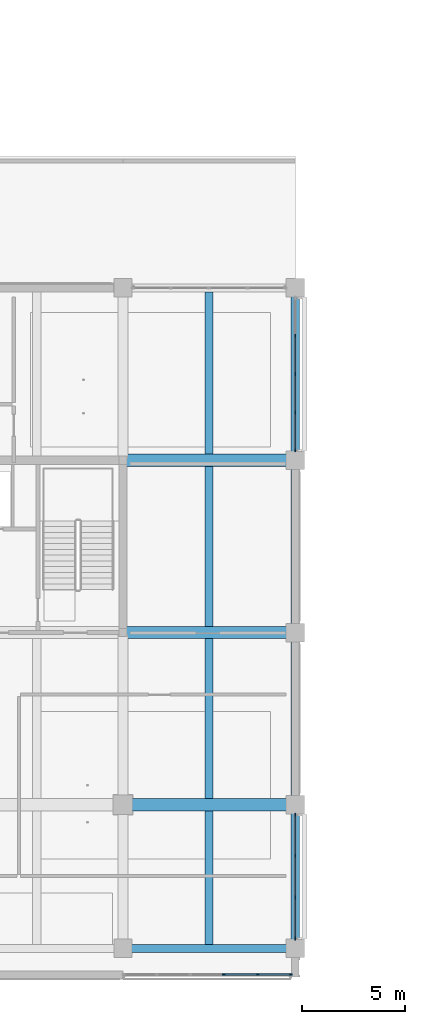
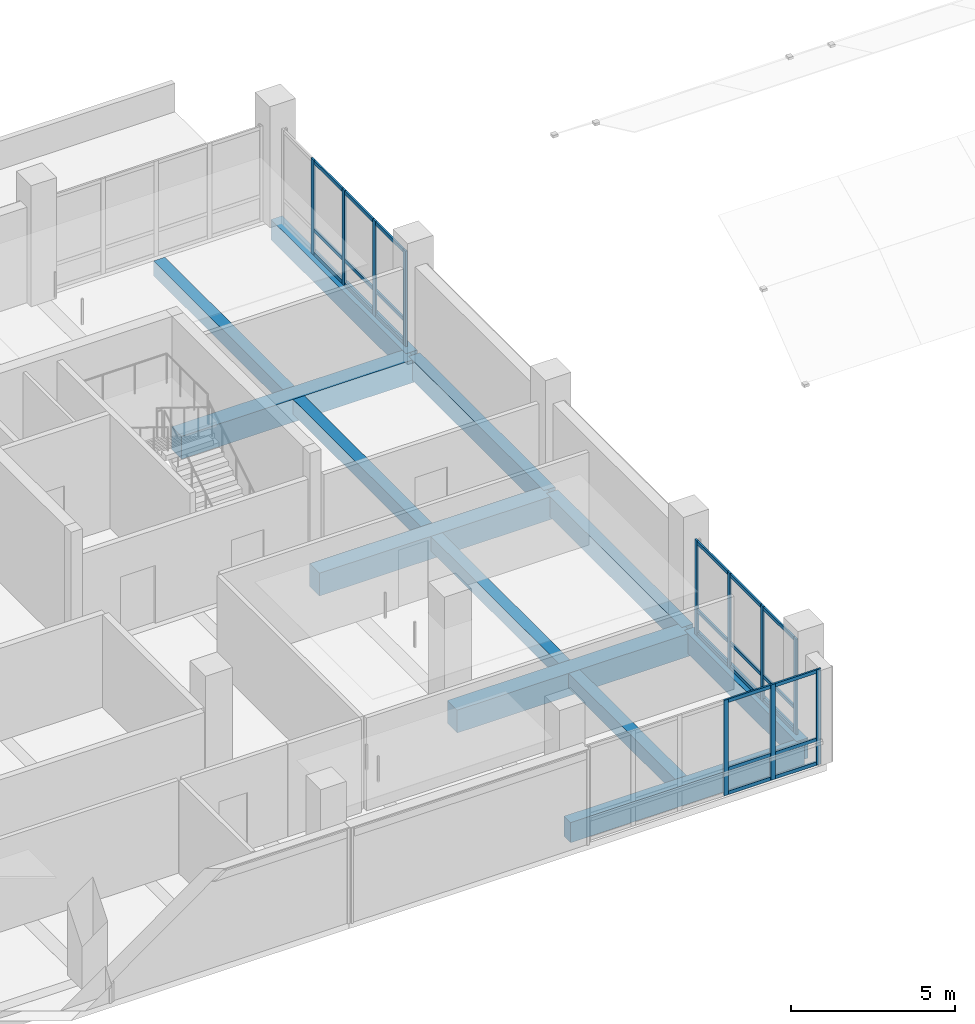
# One storey, part 15 of 59: 35 members, 12 beams, 3 elements without a shape of their own.
"""IFC4 building model written with IfcOpenShell, lengths in metres."""

from ifc_helpers import new_model, si_unit, direction, frame, origin, origin_2d, place, context, subcontext, project, spatial, rectangle, extrude, material, layer, layer_set, material_profile, profile_set, type_object, element, aggregate, save


model = new_model("IFC4")

# Units and contexts
model_context = context("Model", 3, precision=1e-05, world=origin(), true_north=direction((0.0, 1.0)))
body_context = subcontext(model_context, "Body", "Model", "MODEL_VIEW")
ifc_project = project(units=[si_unit("LENGTHUNIT", "METRE"), si_unit("AREAUNIT", "SQUARE_METRE"), si_unit("VOLUMEUNIT", "CUBIC_METRE"), si_unit("PLANEANGLEUNIT", "RADIAN"), si_unit("MASSUNIT", "GRAM", prefix="KILO")], contexts=[model_context])

# Site, building, storey
site_placement = place(None, origin())
site = spatial("IfcSite", under=ifc_project, at=site_placement, CompositionType="ELEMENT")
building_placement = place(site_placement, origin())
building = spatial("IfcBuilding", under=site, at=building_placement, Name="Telukmera Botanical Conservatory", CompositionType="ELEMENT")
storey_placement = place(building_placement, frame((0.0, 0.0, 15.0)))
storey = spatial("IfcBuildingStorey", under=building, at=storey_placement, Name="L03", CompositionType="ELEMENT", Elevation=15.0)

# Beams
ifc_material_1 = material(Name="Concrete C40/50", Category="concrete")
ifc_material_profile_1 = material_profile(ifc_material_1, rectangle(XDim=0.60009765625, YDim=0.85009765625, at=origin_2d()), Name="RC 600x850")
ifc_profile_set_1 = profile_set([ifc_material_profile_1], Name="Concrete C40/50")
beam_type_1 = type_object("IfcBeamType", Name="Beam_B11", PredefinedType="BEAM", material=ifc_profile_set_1)
for number, where, z_axis, x_axis, name in (
    (1, (100.8798828125, 17.60009765625, -0.425048828125), (1.0, 0.0, 0.0), (0.0, 1.0, 0.0), "Tower Grid Beam L03"),
    (2, (100.8798828125, 26.0, -0.425048828125), (1.0, 0.0, 0.0), (0.0, 1.0, 0.0), "Tower Grid Beam L03"),
    (3, (100.8798828125, 34.39990234375, -0.425048828125), (1.0, 0.0, 0.0), (0.0, 1.0, 0.0), "Tower Grid Beam L03"),
):
    element("IfcBeam", number, at=place(storey_placement, frame(where, z_axis=z_axis, x_axis=x_axis)), inside=storey, type_object=beam_type_1, Name=name, PredefinedType="BEAM", context=body_context, shape_type="SweptSolid", body=[
        extrude(rectangle(XDim=0.60009765625, YDim=0.85009765625, at=origin_2d()), origin(), (0.0, 0.0, 1.0), 8.240234375),
    ])
ifc_material_profile_2 = material_profile(ifc_material_1, rectangle(XDim=0.39990234375, YDim=0.550048828125, at=origin_2d()), Name="RC 400x550")
ifc_profile_set_2 = profile_set([ifc_material_profile_2], Name="Concrete C40/50")
beam_type_2 = type_object("IfcBeamType", Name="Beam_B19", PredefinedType="JOIST", material=ifc_profile_set_2)
beam_1_placement = place(storey_placement, frame((105.0, 10.800048828125, -0.27490234375), z_axis=(0.0, 1.0, 0.0), x_axis=(-1.0, 0.0, 0.0)))
element("IfcBeam", 4, at=beam_1_placement, inside=storey, type_object=beam_type_2, Name="Tower Secondary Floor Joist L03", PredefinedType="JOIST", context=body_context, shape_type="SweptSolid", body=[
    extrude(rectangle(XDim=0.39990234375, YDim=0.550048828125, at=origin_2d()), origin(), (0.0, 0.0, 1.0), 6.5),
])
for number, where, z_axis, x_axis, name in (
    (5, (105.0, 17.89990234375, -0.27490234375), (0.0, 1.0, 0.0), (-1.0, 0.0, 0.0), "Tower Secondary Floor Joist L03"),
    (6, (105.0, 26.300048828125, -0.27490234375), (0.0, 1.0, 0.0), (-1.0, 0.0, 0.0), "Tower Secondary Floor Joist L03"),
):
    element("IfcBeam", number, at=place(storey_placement, frame(where, z_axis=z_axis, x_axis=x_axis)), inside=storey, type_object=beam_type_2, Name=name, PredefinedType="JOIST", context=body_context, shape_type="SweptSolid", body=[
        extrude(rectangle(XDim=0.39990234375, YDim=0.550048828125, at=origin_2d()), origin(), (0.0, 0.0, 1.0), 7.800048828125),
    ])
beam_2_placement = place(storey_placement, frame((105.0, 34.699951171875, -0.27490234375), z_axis=(0.0, 1.0, 0.0), x_axis=(-1.0, 0.0, 0.0)))
element("IfcBeam", 7, at=beam_2_placement, inside=storey, type_object=beam_type_2, Name="Tower Secondary Floor Joist L03", PredefinedType="JOIST", context=body_context, shape_type="SweptSolid", body=[
    extrude(rectangle(XDim=0.39990234375, YDim=0.550048828125, at=origin_2d()), origin(), (0.0, 0.0, 1.0), 7.900146484375),
])
ifc_material_2 = material(Name="Precast concrete C40/50", Category="concrete")
ifc_material_profile_3 = material_profile(ifc_material_2, rectangle(XDim=0.39990234375, YDim=0.75, at=origin_2d()), Name="PC 400x750")
ifc_profile_set_3 = profile_set([ifc_material_profile_3], Name="Precast concrete C40/50")
beam_type_3 = type_object("IfcBeamType", Name="Beam_SP1", PredefinedType="SPANDREL", material=ifc_profile_set_3)
beam_3_placement = place(storey_placement, frame((100.8798828125, 10.60009765625, -0.375), z_axis=(1.0, 0.0, 0.0), x_axis=(0.0, 1.0, 0.0)))
element("IfcBeam", 8, at=beam_3_placement, inside=storey, type_object=beam_type_3, Name="Tower Grid Beam L03", PredefinedType="SPANDREL", context=body_context, shape_type="SweptSolid", body=[
    extrude(rectangle(XDim=0.39990234375, YDim=0.75, at=origin_2d()), origin(), (0.0, 0.0, 1.0), 8.240234375),
])
beam_4_placement = place(storey_placement, frame((109.199951171875, 10.679931640625, -0.375), z_axis=(0.0, 1.0, 0.0), x_axis=(-1.0, 0.0, 0.0)))
element("IfcBeam", 9, at=beam_4_placement, inside=storey, type_object=beam_type_3, Name="Tower Transverse Beam L03", PredefinedType="SPANDREL", context=body_context, shape_type="SweptSolid", body=[
    extrude(rectangle(XDim=0.39990234375, YDim=0.75, at=origin_2d()), origin(), (0.0, 0.0, 1.0), 6.840087890625),
])
for number, where, z_axis, x_axis, name in (
    (10, (109.199951171875, 17.679931640625, -0.375), (0.0, 1.0, 0.0), (-1.0, 0.0, 0.0), "Tower Transverse Beam L03"),
    (11, (109.199951171875, 26.080078125, -0.375), (0.0, 1.0, 0.0), (-1.0, 0.0, 0.0), "Tower Transverse Beam L03"),
    (12, (109.199951171875, 34.47998046875, -0.375), (0.0, 1.0, 0.0), (-1.0, 0.0, 0.0), "Tower Transverse Beam L03"),
):
    element("IfcBeam", number, at=place(storey_placement, frame(where, z_axis=z_axis, x_axis=x_axis)), inside=storey, type_object=beam_type_3, Name=name, PredefinedType="SPANDREL", context=body_context, shape_type="SweptSolid", body=[
        extrude(rectangle(XDim=0.39990234375, YDim=0.75, at=origin_2d()), origin(), (0.0, 0.0, 1.0), 8.239990234375),
    ])

# Curtain wall, members
ifc_material_3 = material(Name="Anodised aluminium 6063-T6", Category="aluminium")
ifc_layer = layer(ifc_material_3, 0.179931640625)
ifc_layer_set = layer_set([ifc_layer], Name="Anodised aluminium 6063-T6")
curtain_wall_type = type_object("IfcCurtainWallType", Name="Tower Herbarium Curation Corner Curtain Wall", PredefinedType="USERDEFINED", material=ifc_layer_set)
curtain_wall_1_placement = place(storey_placement, origin())
curtain_wall_1 = element("IfcCurtainWall", 13, at=curtain_wall_1_placement, inside=storey, type_object=curtain_wall_type, Name="Unitised Curtain Wall CW14 V4:L03:S7", ObjectType="UNITISED CURTAIN WALL", PredefinedType="USERDEFINED")
ifc_material_profile_4 = material_profile(ifc_material_3, rectangle(XDim=0.06494140625, YDim=0.159912109375, at=origin_2d()), Name="ALU MULL 65x160")
ifc_profile_set_4 = profile_set([ifc_material_profile_4], Name="Anodised aluminium 6063-T6")
member_type_1 = type_object("IfcMemberType", Name="Curtain Wall Extruded Mullion 65x160", PredefinedType="MULLION", material=ifc_profile_set_4)
member_1_placement = place(storey_placement, frame((105.7255859375, 9.320068359375, 0.0), z_axis=(0.0, 0.0, 1.0), x_axis=(0.0, 1.0, 0.0)))
member_1 = element("IfcMember", 14, at=member_1_placement, type_object=member_type_1, Name="CW14 mullion 4", PredefinedType="MULLION", context=body_context, shape_type="SweptSolid", body=[
    extrude(rectangle(XDim=0.06494140625, YDim=0.159912109375, at=origin_2d()), origin(), (0.0, 0.0, 1.0), 3.550048828125),
])
member_2_placement = place(storey_placement, frame((107.36669921875, 9.320068359375, 0.0), z_axis=(0.0, 0.0, 1.0), x_axis=(0.0, 1.0, 0.0)))
member_2 = element("IfcMember", 15, at=member_2_placement, type_object=member_type_1, Name="CW14 mullion 5", PredefinedType="MULLION", context=body_context, shape_type="SweptSolid", body=[
    extrude(rectangle(XDim=0.06494140625, YDim=0.159912109375, at=origin_2d()), origin(), (0.0, 0.0, 1.0), 3.550048828125),
])
member_3_placement = place(storey_placement, frame((108.9755859375, 9.320068359375, 0.0), z_axis=(0.0, 0.0, 1.0), x_axis=(0.0, 1.0, 0.0)))
member_3 = element("IfcMember", 16, at=member_3_placement, type_object=member_type_1, Name="CW14 mullion 6", PredefinedType="MULLION", context=body_context, shape_type="SweptSolid", body=[
    extrude(rectangle(XDim=0.06494140625, YDim=0.159912109375, at=origin_2d()), origin(), (0.0, 0.0, 1.0), 3.550048828125),
])

curtain_wall_2_placement = place(storey_placement, origin())
curtain_wall_2 = element("IfcCurtainWall", 17, at=curtain_wall_2_placement, inside=storey, type_object=curtain_wall_type, Name="Unitised Curtain Wall CW14 V4:L03:E1", ObjectType="UNITISED CURTAIN WALL", PredefinedType="USERDEFINED")
member_4_placement = place(storey_placement, frame((109.199951171875, 11.08447265625, 0.0), z_axis=(0.0, 0.0, 1.0), x_axis=(-1.0, 0.0, 0.0)))
member_4 = element("IfcMember", 18, at=member_4_placement, type_object=member_type_1, Name="CW14 mullion 1", PredefinedType="MULLION", context=body_context, shape_type="SweptSolid", body=[
    extrude(rectangle(XDim=0.06494140625, YDim=0.159912109375, at=origin_2d()), origin(), (0.0, 0.0, 1.0), 3.550048828125),
])
member_5_placement = place(storey_placement, frame((109.199951171875, 13.083984375, 0.0), z_axis=(0.0, 0.0, 1.0), x_axis=(-1.0, 0.0, 0.0)))
member_5 = element("IfcMember", 19, at=member_5_placement, type_object=member_type_1, Name="CW14 mullion 2", PredefinedType="MULLION", context=body_context, shape_type="SweptSolid", body=[
    extrude(rectangle(XDim=0.06494140625, YDim=0.159912109375, at=origin_2d()), origin(), (0.0, 0.0, 1.0), 3.550048828125),
])
member_6_placement = place(storey_placement, frame((109.199951171875, 15.115966796875, 0.0), z_axis=(0.0, 0.0, 1.0), x_axis=(-1.0, 0.0, 0.0)))
member_6 = element("IfcMember", 20, at=member_6_placement, type_object=member_type_1, Name="CW14 mullion 3", PredefinedType="MULLION", context=body_context, shape_type="SweptSolid", body=[
    extrude(rectangle(XDim=0.06494140625, YDim=0.159912109375, at=origin_2d()), origin(), (0.0, 0.0, 1.0), 3.550048828125),
])
member_7_placement = place(storey_placement, frame((109.199951171875, 17.115478515625, 0.0), z_axis=(0.0, 0.0, 1.0), x_axis=(-1.0, 0.0, 0.0)))
member_7 = element("IfcMember", 21, at=member_7_placement, type_object=member_type_1, Name="CW14 mullion 4", PredefinedType="MULLION", context=body_context, shape_type="SweptSolid", body=[
    extrude(rectangle(XDim=0.06494140625, YDim=0.159912109375, at=origin_2d()), origin(), (0.0, 0.0, 1.0), 3.550048828125),
])

curtain_wall_3_placement = place(storey_placement, origin())
curtain_wall_3 = element("IfcCurtainWall", 22, at=curtain_wall_3_placement, inside=storey, type_object=curtain_wall_type, Name="Unitised Curtain Wall CW14 V4:L03:E4", ObjectType="UNITISED CURTAIN WALL", PredefinedType="USERDEFINED")
member_8_placement = place(storey_placement, frame((109.199951171875, 34.884521484375, 0.0), z_axis=(0.0, 0.0, 1.0), x_axis=(-1.0, 0.0, 0.0)))
member_8 = element("IfcMember", 23, at=member_8_placement, type_object=member_type_1, Name="CW14 mullion 1", PredefinedType="MULLION", context=body_context, shape_type="SweptSolid", body=[
    extrude(rectangle(XDim=0.06494140625, YDim=0.159912109375, at=origin_2d()), origin(), (0.0, 0.0, 1.0), 3.550048828125),
])
member_9_placement = place(storey_placement, frame((109.199951171875, 36.72607421875, 0.0), z_axis=(0.0, 0.0, 1.0), x_axis=(-1.0, 0.0, 0.0)))
member_9 = element("IfcMember", 24, at=member_9_placement, type_object=member_type_1, Name="CW14 mullion 2", PredefinedType="MULLION", context=body_context, shape_type="SweptSolid", body=[
    extrude(rectangle(XDim=0.06494140625, YDim=0.159912109375, at=origin_2d()), origin(), (0.0, 0.0, 1.0), 3.550048828125),
])
member_10_placement = place(storey_placement, frame((109.199951171875, 38.60009765625, 0.0), z_axis=(0.0, 0.0, 1.0), x_axis=(-1.0, 0.0, 0.0)))
member_10 = element("IfcMember", 25, at=member_10_placement, type_object=member_type_1, Name="CW14 mullion 3", PredefinedType="MULLION", context=body_context, shape_type="SweptSolid", body=[
    extrude(rectangle(XDim=0.06494140625, YDim=0.159912109375, at=origin_2d()), origin(), (0.0, 0.0, 1.0), 3.550048828125),
])
member_11_placement = place(storey_placement, frame((109.199951171875, 40.47412109375, 0.0), z_axis=(0.0, 0.0, 1.0), x_axis=(-1.0, 0.0, 0.0)))
member_11 = element("IfcMember", 26, at=member_11_placement, type_object=member_type_1, Name="CW14 mullion 4", PredefinedType="MULLION", context=body_context, shape_type="SweptSolid", body=[
    extrude(rectangle(XDim=0.06494140625, YDim=0.159912109375, at=origin_2d()), origin(), (0.0, 0.0, 1.0), 3.550048828125),
])

# Member
ifc_material_profile_5 = material_profile(ifc_material_3, rectangle(XDim=0.06494140625, YDim=0.1298828125, at=origin_2d()), Name="ALU TRAN 65x130")
ifc_profile_set_5 = profile_set([ifc_material_profile_5], Name="Anodised aluminium 6063-T6")
member_type_2 = type_object("IfcMemberType", Name="Curtain Wall Extruded Transom 65x130", PredefinedType="USERDEFINED", material=ifc_profile_set_5)
member_12_placement = place(storey_placement, frame((105.758056640625, 9.320068359375, 0.06494140625), z_axis=(1.0, 0.0, 0.0), x_axis=(0.0, 1.0, 0.0)))
member_12 = element("IfcMember", 27, at=member_12_placement, type_object=member_type_2, Name="CW14 transom 4.1", ObjectType="TRANSOM", PredefinedType="USERDEFINED", context=body_context, shape_type="SweptSolid", body=[
    extrude(rectangle(XDim=0.06494140625, YDim=0.1298828125, at=origin_2d()), origin(), (0.0, 0.0, 1.0), 1.576171875),
])

member_13_placement = place(storey_placement, frame((105.758056640625, 9.320068359375, 0.949951171875), z_axis=(1.0, 0.0, 0.0), x_axis=(0.0, 1.0, 0.0)))
member_13 = element("IfcMember", 28, at=member_13_placement, type_object=member_type_2, Name="CW14 transom 4.2", ObjectType="TRANSOM", PredefinedType="USERDEFINED", context=body_context, shape_type="SweptSolid", body=[
    extrude(rectangle(XDim=0.06494140625, YDim=0.1298828125, at=origin_2d()), origin(), (0.0, 0.0, 1.0), 1.576171875),
])

member_14_placement = place(storey_placement, frame((105.758056640625, 9.320068359375, 3.485107421875), z_axis=(1.0, 0.0, 0.0), x_axis=(0.0, 1.0, 0.0)))
member_14 = element("IfcMember", 29, at=member_14_placement, type_object=member_type_2, Name="CW14 transom 4.3", ObjectType="TRANSOM", PredefinedType="USERDEFINED", context=body_context, shape_type="SweptSolid", body=[
    extrude(rectangle(XDim=0.06494140625, YDim=0.1298828125, at=origin_2d()), origin(), (0.0, 0.0, 1.0), 1.576171875),
])

member_15_placement = place(storey_placement, frame((107.3994140625, 9.320068359375, 0.06494140625), z_axis=(1.0, 0.0, 0.0), x_axis=(0.0, 1.0, 0.0)))
member_15 = element("IfcMember", 30, at=member_15_placement, type_object=member_type_2, Name="CW14 transom 5.1", ObjectType="TRANSOM", PredefinedType="USERDEFINED", context=body_context, shape_type="SweptSolid", body=[
    extrude(rectangle(XDim=0.06494140625, YDim=0.1298828125, at=origin_2d()), origin(), (0.0, 0.0, 1.0), 1.543701171875),
])

member_16_placement = place(storey_placement, frame((107.3994140625, 9.320068359375, 0.949951171875), z_axis=(1.0, 0.0, 0.0), x_axis=(0.0, 1.0, 0.0)))
member_16 = element("IfcMember", 31, at=member_16_placement, type_object=member_type_2, Name="CW14 transom 5.2", ObjectType="TRANSOM", PredefinedType="USERDEFINED", context=body_context, shape_type="SweptSolid", body=[
    extrude(rectangle(XDim=0.06494140625, YDim=0.1298828125, at=origin_2d()), origin(), (0.0, 0.0, 1.0), 1.543701171875),
])

member_17_placement = place(storey_placement, frame((107.3994140625, 9.320068359375, 3.485107421875), z_axis=(1.0, 0.0, 0.0), x_axis=(0.0, 1.0, 0.0)))
member_17 = element("IfcMember", 32, at=member_17_placement, type_object=member_type_2, Name="CW14 transom 5.3", ObjectType="TRANSOM", PredefinedType="USERDEFINED", context=body_context, shape_type="SweptSolid", body=[
    extrude(rectangle(XDim=0.06494140625, YDim=0.1298828125, at=origin_2d()), origin(), (0.0, 0.0, 1.0), 1.543701171875),
])

aggregate(curtain_wall_1, [member_1, member_2, member_3, member_12, member_13, member_14, member_15, member_16, member_17])

member_18_placement = place(storey_placement, frame((109.199951171875, 11.116943359375, 0.06494140625), z_axis=(0.0, 1.0, 0.0), x_axis=(-1.0, 0.0, 0.0)))
member_18 = element("IfcMember", 33, at=member_18_placement, type_object=member_type_2, Name="CW14 transom 1.1", ObjectType="TRANSOM", PredefinedType="USERDEFINED", context=body_context, shape_type="SweptSolid", body=[
    extrude(rectangle(XDim=0.06494140625, YDim=0.1298828125, at=origin_2d()), origin(), (0.0, 0.0, 1.0), 1.9345703125),
])

member_19_placement = place(storey_placement, frame((109.199951171875, 11.116943359375, 0.949951171875), z_axis=(0.0, 1.0, 0.0), x_axis=(-1.0, 0.0, 0.0)))
member_19 = element("IfcMember", 34, at=member_19_placement, type_object=member_type_2, Name="CW14 transom 1.2", ObjectType="TRANSOM", PredefinedType="USERDEFINED", context=body_context, shape_type="SweptSolid", body=[
    extrude(rectangle(XDim=0.06494140625, YDim=0.1298828125, at=origin_2d()), origin(), (0.0, 0.0, 1.0), 1.9345703125),
])

member_20_placement = place(storey_placement, frame((109.199951171875, 11.116943359375, 3.485107421875), z_axis=(0.0, 1.0, 0.0), x_axis=(-1.0, 0.0, 0.0)))
member_20 = element("IfcMember", 35, at=member_20_placement, type_object=member_type_2, Name="CW14 transom 1.3", ObjectType="TRANSOM", PredefinedType="USERDEFINED", context=body_context, shape_type="SweptSolid", body=[
    extrude(rectangle(XDim=0.06494140625, YDim=0.1298828125, at=origin_2d()), origin(), (0.0, 0.0, 1.0), 1.9345703125),
])

member_21_placement = place(storey_placement, frame((109.199951171875, 13.116455078125, 0.06494140625), z_axis=(0.0, 1.0, 0.0), x_axis=(-1.0, 0.0, 0.0)))
member_21 = element("IfcMember", 36, at=member_21_placement, type_object=member_type_2, Name="CW14 transom 2.1", ObjectType="TRANSOM", PredefinedType="USERDEFINED", context=body_context, shape_type="SweptSolid", body=[
    extrude(rectangle(XDim=0.06494140625, YDim=0.1298828125, at=origin_2d()), origin(), (0.0, 0.0, 1.0), 1.967041015625),
])

member_22_placement = place(storey_placement, frame((109.199951171875, 13.116455078125, 0.949951171875), z_axis=(0.0, 1.0, 0.0), x_axis=(-1.0, 0.0, 0.0)))
member_22 = element("IfcMember", 37, at=member_22_placement, type_object=member_type_2, Name="CW14 transom 2.2", ObjectType="TRANSOM", PredefinedType="USERDEFINED", context=body_context, shape_type="SweptSolid", body=[
    extrude(rectangle(XDim=0.06494140625, YDim=0.1298828125, at=origin_2d()), origin(), (0.0, 0.0, 1.0), 1.967041015625),
])

member_23_placement = place(storey_placement, frame((109.199951171875, 13.116455078125, 3.485107421875), z_axis=(0.0, 1.0, 0.0), x_axis=(-1.0, 0.0, 0.0)))
member_23 = element("IfcMember", 38, at=member_23_placement, type_object=member_type_2, Name="CW14 transom 2.3", ObjectType="TRANSOM", PredefinedType="USERDEFINED", context=body_context, shape_type="SweptSolid", body=[
    extrude(rectangle(XDim=0.06494140625, YDim=0.1298828125, at=origin_2d()), origin(), (0.0, 0.0, 1.0), 1.967041015625),
])

member_24_placement = place(storey_placement, frame((109.199951171875, 15.1484375, 0.06494140625), z_axis=(0.0, 1.0, 0.0), x_axis=(-1.0, 0.0, 0.0)))
member_24 = element("IfcMember", 39, at=member_24_placement, type_object=member_type_2, Name="CW14 transom 3.1", ObjectType="TRANSOM", PredefinedType="USERDEFINED", context=body_context, shape_type="SweptSolid", body=[
    extrude(rectangle(XDim=0.06494140625, YDim=0.1298828125, at=origin_2d()), origin(), (0.0, 0.0, 1.0), 1.9345703125),
])

member_25_placement = place(storey_placement, frame((109.199951171875, 15.1484375, 0.949951171875), z_axis=(0.0, 1.0, 0.0), x_axis=(-1.0, 0.0, 0.0)))
member_25 = element("IfcMember", 40, at=member_25_placement, type_object=member_type_2, Name="CW14 transom 3.2", ObjectType="TRANSOM", PredefinedType="USERDEFINED", context=body_context, shape_type="SweptSolid", body=[
    extrude(rectangle(XDim=0.06494140625, YDim=0.1298828125, at=origin_2d()), origin(), (0.0, 0.0, 1.0), 1.9345703125),
])

member_26_placement = place(storey_placement, frame((109.199951171875, 15.1484375, 3.485107421875), z_axis=(0.0, 1.0, 0.0), x_axis=(-1.0, 0.0, 0.0)))
member_26 = element("IfcMember", 41, at=member_26_placement, type_object=member_type_2, Name="CW14 transom 3.3", ObjectType="TRANSOM", PredefinedType="USERDEFINED", context=body_context, shape_type="SweptSolid", body=[
    extrude(rectangle(XDim=0.06494140625, YDim=0.1298828125, at=origin_2d()), origin(), (0.0, 0.0, 1.0), 1.9345703125),
])

aggregate(curtain_wall_2, [member_4, member_5, member_6, member_7, member_18, member_19, member_20, member_21, member_22, member_23, member_24, member_25, member_26])

member_27_placement = place(storey_placement, frame((109.199951171875, 34.9169921875, 0.06494140625), z_axis=(0.0, 1.0, 0.0), x_axis=(-1.0, 0.0, 0.0)))
member_27 = element("IfcMember", 42, at=member_27_placement, type_object=member_type_2, Name="CW14 transom 1.1", ObjectType="TRANSOM", PredefinedType="USERDEFINED", context=body_context, shape_type="SweptSolid", body=[
    extrude(rectangle(XDim=0.06494140625, YDim=0.1298828125, at=origin_2d()), origin(), (0.0, 0.0, 1.0), 1.776611328125),
])

member_28_placement = place(storey_placement, frame((109.199951171875, 34.9169921875, 0.949951171875), z_axis=(0.0, 1.0, 0.0), x_axis=(-1.0, 0.0, 0.0)))
member_28 = element("IfcMember", 43, at=member_28_placement, type_object=member_type_2, Name="CW14 transom 1.2", ObjectType="TRANSOM", PredefinedType="USERDEFINED", context=body_context, shape_type="SweptSolid", body=[
    extrude(rectangle(XDim=0.06494140625, YDim=0.1298828125, at=origin_2d()), origin(), (0.0, 0.0, 1.0), 1.776611328125),
])

member_29_placement = place(storey_placement, frame((109.199951171875, 34.9169921875, 3.485107421875), z_axis=(0.0, 1.0, 0.0), x_axis=(-1.0, 0.0, 0.0)))
member_29 = element("IfcMember", 44, at=member_29_placement, type_object=member_type_2, Name="CW14 transom 1.3", ObjectType="TRANSOM", PredefinedType="USERDEFINED", context=body_context, shape_type="SweptSolid", body=[
    extrude(rectangle(XDim=0.06494140625, YDim=0.1298828125, at=origin_2d()), origin(), (0.0, 0.0, 1.0), 1.776611328125),
])

member_30_placement = place(storey_placement, frame((109.199951171875, 36.758544921875, 0.06494140625), z_axis=(0.0, 1.0, 0.0), x_axis=(-1.0, 0.0, 0.0)))
member_30 = element("IfcMember", 45, at=member_30_placement, type_object=member_type_2, Name="CW14 transom 2.1", ObjectType="TRANSOM", PredefinedType="USERDEFINED", context=body_context, shape_type="SweptSolid", body=[
    extrude(rectangle(XDim=0.06494140625, YDim=0.1298828125, at=origin_2d()), origin(), (0.0, 0.0, 1.0), 1.808837890625),
])

member_31_placement = place(storey_placement, frame((109.199951171875, 36.758544921875, 0.949951171875), z_axis=(0.0, 1.0, 0.0), x_axis=(-1.0, 0.0, 0.0)))
member_31 = element("IfcMember", 46, at=member_31_placement, type_object=member_type_2, Name="CW14 transom 2.2", ObjectType="TRANSOM", PredefinedType="USERDEFINED", context=body_context, shape_type="SweptSolid", body=[
    extrude(rectangle(XDim=0.06494140625, YDim=0.1298828125, at=origin_2d()), origin(), (0.0, 0.0, 1.0), 1.808837890625),
])

member_32_placement = place(storey_placement, frame((109.199951171875, 36.758544921875, 3.485107421875), z_axis=(0.0, 1.0, 0.0), x_axis=(-1.0, 0.0, 0.0)))
member_32 = element("IfcMember", 47, at=member_32_placement, type_object=member_type_2, Name="CW14 transom 2.3", ObjectType="TRANSOM", PredefinedType="USERDEFINED", context=body_context, shape_type="SweptSolid", body=[
    extrude(rectangle(XDim=0.06494140625, YDim=0.1298828125, at=origin_2d()), origin(), (0.0, 0.0, 1.0), 1.808837890625),
])

member_33_placement = place(storey_placement, frame((109.199951171875, 38.632568359375, 0.06494140625), z_axis=(0.0, 1.0, 0.0), x_axis=(-1.0, 0.0, 0.0)))
member_33 = element("IfcMember", 48, at=member_33_placement, type_object=member_type_2, Name="CW14 transom 3.1", ObjectType="TRANSOM", PredefinedType="USERDEFINED", context=body_context, shape_type="SweptSolid", body=[
    extrude(rectangle(XDim=0.06494140625, YDim=0.1298828125, at=origin_2d()), origin(), (0.0, 0.0, 1.0), 1.808837890625),
])

member_34_placement = place(storey_placement, frame((109.199951171875, 38.632568359375, 0.949951171875), z_axis=(0.0, 1.0, 0.0), x_axis=(-1.0, 0.0, 0.0)))
member_34 = element("IfcMember", 49, at=member_34_placement, type_object=member_type_2, Name="CW14 transom 3.2", ObjectType="TRANSOM", PredefinedType="USERDEFINED", context=body_context, shape_type="SweptSolid", body=[
    extrude(rectangle(XDim=0.06494140625, YDim=0.1298828125, at=origin_2d()), origin(), (0.0, 0.0, 1.0), 1.808837890625),
])

member_35_placement = place(storey_placement, frame((109.199951171875, 38.632568359375, 3.485107421875), z_axis=(0.0, 1.0, 0.0), x_axis=(-1.0, 0.0, 0.0)))
member_35 = element("IfcMember", 50, at=member_35_placement, type_object=member_type_2, Name="CW14 transom 3.3", ObjectType="TRANSOM", PredefinedType="USERDEFINED", context=body_context, shape_type="SweptSolid", body=[
    extrude(rectangle(XDim=0.06494140625, YDim=0.1298828125, at=origin_2d()), origin(), (0.0, 0.0, 1.0), 1.808837890625),
])

aggregate(curtain_wall_3, [member_8, member_9, member_10, member_11, member_27, member_28, member_29, member_30, member_31, member_32, member_33, member_34, member_35])

save(model, "model.ifc")
